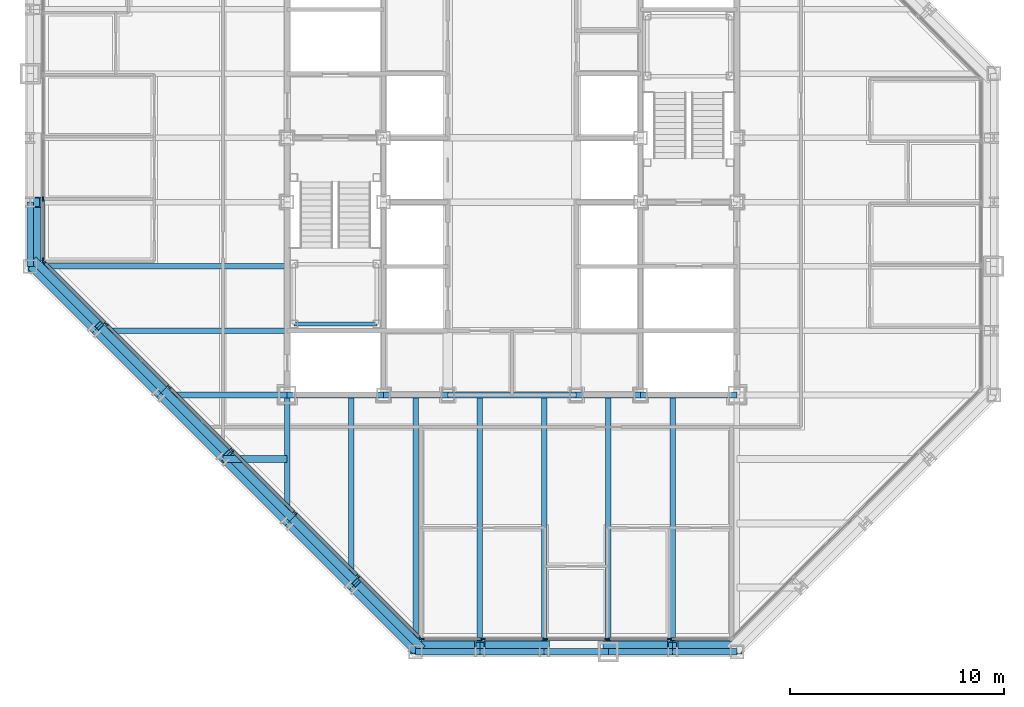
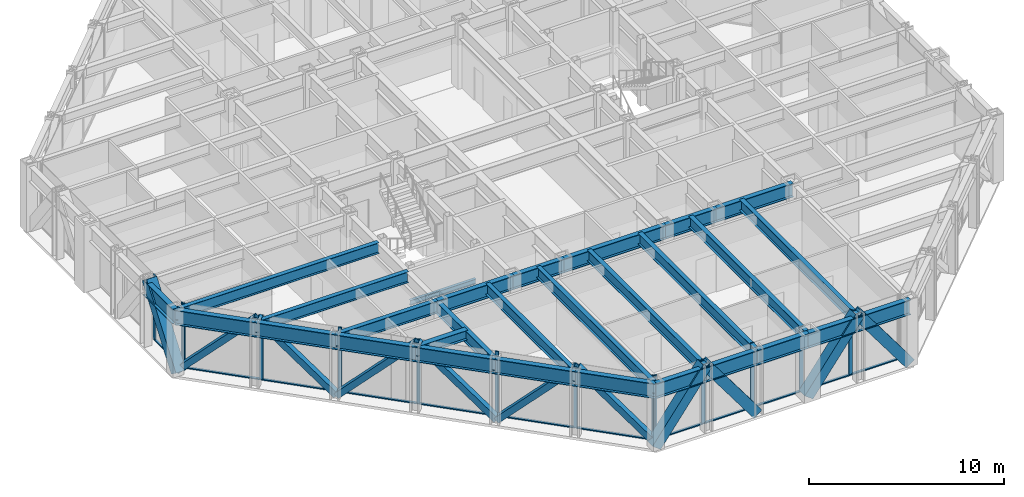
# One storey, part 5 of 16: 37 members, 29 beams, 3 elements without a shape of their own.
"""IFC4 building model written with IfcOpenShell, lengths in metres."""

from ifc_helpers import new_model, si_unit, direction, frame, origin, origin_2d, place, context, subcontext, project, spatial, rectangle, hollow_rectangle, i_section, extrude, material, layer, layer_set, material_profile, profile_set, type_object, element, aggregate, save


model = new_model("IFC4")

# Units and contexts
model_context = context("Model", 3, precision=1e-05, world=origin(), true_north=direction((0.0, 1.0)))
body_context = subcontext(model_context, "Body", "Model", "MODEL_VIEW")
ifc_project = project(units=[si_unit("LENGTHUNIT", "METRE"), si_unit("AREAUNIT", "SQUARE_METRE"), si_unit("VOLUMEUNIT", "CUBIC_METRE"), si_unit("PLANEANGLEUNIT", "RADIAN"), si_unit("MASSUNIT", "GRAM", prefix="KILO")], contexts=[model_context])

# Site, building, storey
site_placement = place(None, origin())
site = spatial("IfcSite", under=ifc_project, at=site_placement, CompositionType="ELEMENT")
building_placement = place(site_placement, origin())
building = spatial("IfcBuilding", under=site, at=building_placement, Name="Chuquiago Exchange Tower", CompositionType="ELEMENT")
storey_placement = place(building_placement, frame((0.0, 0.0, 201.300048828125)))
storey = spatial("IfcBuildingStorey", under=building, at=storey_placement, Name="L44", CompositionType="ELEMENT", Elevation=201.300048828125)

# Beams
ifc_material_1 = material(Name="Steel ASTM A992", Category="steel")
ifc_material_profile_1 = material_profile(ifc_material_1, i_section(OverallWidth=0.25390625, OverallDepth=0.683349609375, WebThickness=0.012451171875, FlangeThickness=0.018798828125, at=origin_2d()), Name="W27X94")
ifc_profile_set_1 = profile_set([ifc_material_profile_1], Name="Steel ASTM A992")
beam_type_1 = type_object("IfcBeamType", Name="B1 W27X94", PredefinedType="BEAM", material=ifc_profile_set_1)
beam_1_placement = place(storey_placement, frame((15.0, 12.0, 3.6982421875), z_axis=(0.0, -1.0, 0.0), x_axis=(1.0, 0.0, 0.0)))
element("IfcBeam", 1, at=beam_1_placement, inside=storey, type_object=beam_type_1, Name="FB-L45-infill-15_12-15_3-0", PredefinedType="BEAM", context=body_context, shape_type="SweptSolid", body=[
    extrude(i_section(OverallWidth=0.25390625, OverallDepth=0.683349609375, WebThickness=0.012451171875, FlangeThickness=0.018798828125, at=origin_2d()), origin(), (0.0, 0.0, 1.0), 9.0),
])
for number, where, z_axis, x_axis, name in (
    (2, (18.0, 12.0, 3.6982421875), (0.0, -1.0, 0.0), (1.0, 0.0, 0.0), "FB-L45-infill-18_12-18_-0-0"),
    (3, (21.0, 12.0, 3.6982421875), (0.0, -1.0, 0.0), (1.0, 0.0, 0.0), "FB-L45-infill-21_12-21_-0-0"),
    (4, (24.0, 12.0, 3.6982421875), (0.0, -1.0, 0.0), (1.0, 0.0, 0.0), "FB-L45-infill-24_12-24_-0-0"),
    (5, (27.0, 12.0, 3.6982421875), (0.0, -1.0, 0.0), (1.0, 0.0, 0.0), "FB-L45-infill-27_12-27_-0-0"),
    (6, (30.0, 12.0, 3.6982421875), (0.0, -1.0, 0.0), (1.0, 0.0, 0.0), "FB-L45-infill-30_12-30_-0-0"),
):
    element("IfcBeam", number, at=place(storey_placement, frame(where, z_axis=z_axis, x_axis=x_axis)), inside=storey, type_object=beam_type_1, Name=name, PredefinedType="BEAM", context=body_context, shape_type="SweptSolid", body=[
        extrude(i_section(OverallWidth=0.25390625, OverallDepth=0.683349609375, WebThickness=0.012451171875, FlangeThickness=0.018798828125, at=origin_2d()), origin(), (0.0, 0.0, 1.0), 12.0),
    ])
beam_2_placement = place(storey_placement, frame((12.0, 15.0, 3.6982421875), z_axis=(-1.0, 0.0, 0.0), x_axis=(0.0, -1.0, 0.0)))
element("IfcBeam", 7, at=beam_2_placement, inside=storey, type_object=beam_type_1, Name="FB-L45-infill-12_15-3_15-0", PredefinedType="BEAM", context=body_context, shape_type="SweptSolid", body=[
    extrude(i_section(OverallWidth=0.25390625, OverallDepth=0.683349609375, WebThickness=0.012451171875, FlangeThickness=0.018798828125, at=origin_2d()), origin(), (0.0, 0.0, 1.0), 9.0),
])
beam_3_placement = place(storey_placement, frame((12.0, 18.0, 3.6982421875), z_axis=(-1.0, 0.0, 0.0), x_axis=(0.0, -1.0, 0.0)))
element("IfcBeam", 8, at=beam_3_placement, inside=storey, type_object=beam_type_1, Name="FB-L45-infill-12_18--0_18-0", PredefinedType="BEAM", context=body_context, shape_type="SweptSolid", body=[
    extrude(i_section(OverallWidth=0.25390625, OverallDepth=0.683349609375, WebThickness=0.012451171875, FlangeThickness=0.018798828125, at=origin_2d()), origin(), (0.0, 0.0, 1.0), 12.0),
])
ifc_material_2 = material(Name="Steel ASTM A992", Category="steel")
ifc_material_profile_2 = material_profile(ifc_material_2, i_section(OverallWidth=0.3251953125, OverallDepth=0.612060546875, WebThickness=0.0126953125, FlangeThickness=0.01904296875, at=origin_2d()), Name="W24X104")
ifc_profile_set_2 = profile_set([ifc_material_profile_2], Name="Steel ASTM A992")
beam_type_2 = type_object("IfcBeamType", Name="B2 W24X104", PredefinedType="BEAM", material=ifc_profile_set_2)
beam_4_placement = place(storey_placement, frame((12.0, 9.0, 3.73388671875), z_axis=(-1.0, 0.0, 0.0), x_axis=(0.0, -1.0, 0.0)))
element("IfcBeam", 9, at=beam_4_placement, inside=storey, type_object=beam_type_2, Name="FB-L45-corner-12_9-9_9-0", PredefinedType="BEAM", context=body_context, shape_type="SweptSolid", body=[
    extrude(i_section(OverallWidth=0.3251953125, OverallDepth=0.612060546875, WebThickness=0.0126953125, FlangeThickness=0.01904296875, at=origin_2d()), origin(), (0.0, 0.0, 1.0), 3.0),
])
ifc_material_3 = material(Name="Steel ASTM A992", Category="steel")
ifc_material_profile_3 = material_profile(ifc_material_3, i_section(OverallWidth=0.2919921875, OverallDepth=0.8583984375, WebThickness=0.01708984375, FlangeThickness=0.031005859375, at=origin_2d()), Name="W33X169")
ifc_profile_set_3 = profile_set([ifc_material_profile_3], Name="Steel ASTM A992")
beam_type_3 = type_object("IfcBeamType", Name="B3 W33X169", PredefinedType="BEAM", material=ifc_profile_set_3)
beam_5_placement = place(storey_placement, frame((12.0, 12.0, 3.610595703125), z_axis=(1.0, 0.0, 0.0), x_axis=(0.0, 1.0, 0.0)))
element("IfcBeam", 10, at=beam_5_placement, inside=storey, type_object=beam_type_3, Name="CB-L45-12_12-16.5_12", PredefinedType="BEAM", context=body_context, shape_type="SweptSolid", body=[
    extrude(i_section(OverallWidth=0.2919921875, OverallDepth=0.8583984375, WebThickness=0.01708984375, FlangeThickness=0.031005859375, at=origin_2d()), origin(), (0.0, 0.0, 1.0), 4.5),
])
beam_6_placement = place(storey_placement, frame((16.5, 12.0, 3.610595703125), z_axis=(1.0, 0.0, 0.0), x_axis=(0.0, 1.0, 0.0)))
element("IfcBeam", 11, at=beam_6_placement, inside=storey, type_object=beam_type_3, Name="CB-L45-16.5_12-19.5_12", PredefinedType="BEAM", context=body_context, shape_type="SweptSolid", body=[
    extrude(i_section(OverallWidth=0.2919921875, OverallDepth=0.8583984375, WebThickness=0.01708984375, FlangeThickness=0.031005859375, at=origin_2d()), origin(), (0.0, 0.0, 1.0), 3.0),
])
beam_7_placement = place(storey_placement, frame((19.5, 12.0, 3.610595703125), z_axis=(1.0, 0.0, 0.0), x_axis=(0.0, 1.0, 0.0)))
element("IfcBeam", 12, at=beam_7_placement, inside=storey, type_object=beam_type_3, Name="CB-L45-19.5_12-25.5_12", PredefinedType="BEAM", context=body_context, shape_type="SweptSolid", body=[
    extrude(i_section(OverallWidth=0.2919921875, OverallDepth=0.8583984375, WebThickness=0.01708984375, FlangeThickness=0.031005859375, at=origin_2d()), origin(), (0.0, 0.0, 1.0), 6.0),
])
beam_8_placement = place(storey_placement, frame((25.5, 12.0, 3.610595703125), z_axis=(1.0, 0.0, 0.0), x_axis=(0.0, 1.0, 0.0)))
element("IfcBeam", 13, at=beam_8_placement, inside=storey, type_object=beam_type_3, Name="CB-L45-25.5_12-28.5_12", PredefinedType="BEAM", context=body_context, shape_type="SweptSolid", body=[
    extrude(i_section(OverallWidth=0.2919921875, OverallDepth=0.8583984375, WebThickness=0.01708984375, FlangeThickness=0.031005859375, at=origin_2d()), origin(), (0.0, 0.0, 1.0), 3.0),
])
beam_9_placement = place(storey_placement, frame((28.5, 12.0, 3.610595703125), z_axis=(1.0, 0.0, 0.0), x_axis=(0.0, 1.0, 0.0)))
element("IfcBeam", 14, at=beam_9_placement, inside=storey, type_object=beam_type_3, Name="CB-L45-28.5_12-33_12", PredefinedType="BEAM", context=body_context, shape_type="SweptSolid", body=[
    extrude(i_section(OverallWidth=0.2919921875, OverallDepth=0.8583984375, WebThickness=0.01708984375, FlangeThickness=0.031005859375, at=origin_2d()), origin(), (0.0, 0.0, 1.0), 4.5),
])

# Curtain wall, members
ifc_material_4 = material(Name="Aluminium curtain wall system", Category="aluminium")
ifc_layer_1 = layer(ifc_material_4, 0.22509765625)
ifc_layer_set_1 = layer_set([ifc_layer_1], Name="CW2 office curtain wall")
curtain_wall_type_1 = type_object("IfcCurtainWallType", Name="CW2 office curtain wall", PredefinedType="NOTDEFINED", material=ifc_layer_set_1)
curtain_wall_1_placement = place(storey_placement, origin())
curtain_wall_1 = element("IfcCurtainWall", 15, at=curtain_wall_1_placement, inside=storey, type_object=curtain_wall_type_1, Name="CW2 curtain wall L44", PredefinedType="NOTDEFINED")
ifc_material_5 = material(Name="Aluminium mullion, pale anodised", Category="aluminium")
ifc_material_profile_4 = material_profile(ifc_material_5, rectangle(XDim=0.06494140625, YDim=0.22509765625, at=origin_2d()), Name="AL 65x225")
ifc_profile_set_4 = profile_set([ifc_material_profile_4], Name="Aluminium mullion, pale anodised")
member_type_1 = type_object("IfcMemberType", Name="CW2-M mullion 65x225", PredefinedType="MULLION", material=ifc_profile_set_4)
member_1_placement = place(storey_placement, frame((18.281005859375, 0.60009765625, 0.0), z_axis=(0.0, 0.0, 1.0), x_axis=(0.0, 1.0, 0.0)))
member_1 = element("IfcMember", 16, at=member_1_placement, type_object=member_type_1, Name="CW2 mullion 1", PredefinedType="MULLION", context=body_context, shape_type="SweptSolid", body=[
    extrude(rectangle(XDim=0.06494140625, YDim=0.22509765625, at=origin_2d()), origin(), (0.0, 0.0, 1.0), 4.0400390625),
])
member_2_placement = place(storey_placement, frame((21.149169921875, 0.60009765625, 0.0), z_axis=(0.0, 0.0, 1.0), x_axis=(0.0, 1.0, 0.0)))
member_2 = element("IfcMember", 17, at=member_2_placement, type_object=member_type_1, Name="CW2 mullion 2", PredefinedType="MULLION", context=body_context, shape_type="SweptSolid", body=[
    extrude(rectangle(XDim=0.06494140625, YDim=0.22509765625, at=origin_2d()), origin(), (0.0, 0.0, 1.0), 4.0400390625),
])
member_3_placement = place(storey_placement, frame((24.0498046875, 0.60009765625, 0.0), z_axis=(0.0, 0.0, 1.0), x_axis=(0.0, 1.0, 0.0)))
member_3 = element("IfcMember", 18, at=member_3_placement, type_object=member_type_1, Name="CW2 mullion 3", PredefinedType="MULLION", context=body_context, shape_type="SweptSolid", body=[
    extrude(rectangle(XDim=0.06494140625, YDim=0.22509765625, at=origin_2d()), origin(), (0.0, 0.0, 1.0), 4.0400390625),
])
member_4_placement = place(storey_placement, frame((26.9501953125, 0.60009765625, 0.0), z_axis=(0.0, 0.0, 1.0), x_axis=(0.0, 1.0, 0.0)))
member_4 = element("IfcMember", 19, at=member_4_placement, type_object=member_type_1, Name="CW2 mullion 4", PredefinedType="MULLION", context=body_context, shape_type="SweptSolid", body=[
    extrude(rectangle(XDim=0.06494140625, YDim=0.22509765625, at=origin_2d()), origin(), (0.0, 0.0, 1.0), 4.0400390625),
])
member_5_placement = place(storey_placement, frame((29.850830078125, 0.60009765625, 0.0), z_axis=(0.0, 0.0, 1.0), x_axis=(0.0, 1.0, 0.0)))
member_5 = element("IfcMember", 20, at=member_5_placement, type_object=member_type_1, Name="CW2 mullion 5", PredefinedType="MULLION", context=body_context, shape_type="SweptSolid", body=[
    extrude(rectangle(XDim=0.06494140625, YDim=0.22509765625, at=origin_2d()), origin(), (0.0, 0.0, 1.0), 4.0400390625),
])

curtain_wall_2_placement = place(storey_placement, origin())
curtain_wall_2 = element("IfcCurtainWall", 21, at=curtain_wall_2_placement, inside=storey, type_object=curtain_wall_type_1, Name="CW2 curtain wall L44", PredefinedType="NOTDEFINED")
member_6_placement = place(storey_placement, frame((0.60009765625, 21.149169921875, 0.0), z_axis=(0.0, 0.0, 1.0), x_axis=(1.0, 0.0, 0.0)))
member_6 = element("IfcMember", 22, at=member_6_placement, type_object=member_type_1, Name="CW2 mullion 5", PredefinedType="MULLION", context=body_context, shape_type="SweptSolid", body=[
    extrude(rectangle(XDim=0.06494140625, YDim=0.22509765625, at=origin_2d()), origin(), (0.0, 0.0, 1.0), 4.0400390625),
])
member_7_placement = place(storey_placement, frame((0.60009765625, 18.281005859375, 0.0), z_axis=(0.0, 0.0, 1.0), x_axis=(1.0, 0.0, 0.0)))
member_7 = element("IfcMember", 23, at=member_7_placement, type_object=member_type_1, Name="CW2 mullion 6", PredefinedType="MULLION", context=body_context, shape_type="SweptSolid", body=[
    extrude(rectangle(XDim=0.06494140625, YDim=0.22509765625, at=origin_2d()), origin(), (0.0, 0.0, 1.0), 4.0400390625),
])

# Member
ifc_material_6 = material(Name="Aluminium transom, pale anodised", Category="aluminium")
ifc_material_profile_5 = material_profile(ifc_material_6, rectangle(XDim=0.139892578125, YDim=0.06494140625, at=origin_2d()), Name="AL 140x65")
ifc_profile_set_5 = profile_set([ifc_material_profile_5], Name="Aluminium transom, pale anodised")
member_type_2 = type_object("IfcMemberType", Name="CW2-T transom 65x140", PredefinedType="MULLION", material=ifc_profile_set_5)
member_8_placement = place(storey_placement, frame((18.3134765625, 0.60009765625, 0.032470703125), z_axis=(1.0, 0.0, 0.0), x_axis=(0.0, 1.0, 0.0)))
member_8 = element("IfcMember", 24, at=member_8_placement, type_object=member_type_2, Name="CW2 transom 1.1", PredefinedType="MULLION", context=body_context, shape_type="SweptSolid", body=[
    extrude(rectangle(XDim=0.139892578125, YDim=0.06494140625, at=origin_2d()), origin(), (0.0, 0.0, 1.0), 2.80322265625),
])

member_9_placement = place(storey_placement, frame((21.181640625, 0.60009765625, 0.032470703125), z_axis=(1.0, 0.0, 0.0), x_axis=(0.0, 1.0, 0.0)))
member_9 = element("IfcMember", 25, at=member_9_placement, type_object=member_type_2, Name="CW2 transom 2.1", PredefinedType="MULLION", context=body_context, shape_type="SweptSolid", body=[
    extrude(rectangle(XDim=0.139892578125, YDim=0.06494140625, at=origin_2d()), origin(), (0.0, 0.0, 1.0), 2.83544921875),
])

member_10_placement = place(storey_placement, frame((24.082275390625, 0.60009765625, 0.032470703125), z_axis=(1.0, 0.0, 0.0), x_axis=(0.0, 1.0, 0.0)))
member_10 = element("IfcMember", 26, at=member_10_placement, type_object=member_type_2, Name="CW2 transom 3.1", PredefinedType="MULLION", context=body_context, shape_type="SweptSolid", body=[
    extrude(rectangle(XDim=0.139892578125, YDim=0.06494140625, at=origin_2d()), origin(), (0.0, 0.0, 1.0), 2.83544921875),
])

member_11_placement = place(storey_placement, frame((26.98291015625, 0.60009765625, 0.032470703125), z_axis=(1.0, 0.0, 0.0), x_axis=(0.0, 1.0, 0.0)))
member_11 = element("IfcMember", 27, at=member_11_placement, type_object=member_type_2, Name="CW2 transom 4.1", PredefinedType="MULLION", context=body_context, shape_type="SweptSolid", body=[
    extrude(rectangle(XDim=0.139892578125, YDim=0.06494140625, at=origin_2d()), origin(), (0.0, 0.0, 1.0), 2.83544921875),
])

member_12_placement = place(storey_placement, frame((29.88330078125, 0.60009765625, 0.032470703125), z_axis=(1.0, 0.0, 0.0), x_axis=(0.0, 1.0, 0.0)))
member_12 = element("IfcMember", 28, at=member_12_placement, type_object=member_type_2, Name="CW2 transom 5.1", PredefinedType="MULLION", context=body_context, shape_type="SweptSolid", body=[
    extrude(rectangle(XDim=0.139892578125, YDim=0.06494140625, at=origin_2d()), origin(), (0.0, 0.0, 1.0), 2.80322265625),
])

aggregate(curtain_wall_1, [member_1, member_2, member_3, member_4, member_5, member_8, member_9, member_10, member_11, member_12])

member_13_placement = place(storey_placement, frame((0.60009765625, 21.11669921875, 0.032470703125), z_axis=(0.0, -1.0, 0.0), x_axis=(1.0, 0.0, 0.0)))
member_13 = element("IfcMember", 29, at=member_13_placement, type_object=member_type_2, Name="CW2 transom 5.1", PredefinedType="MULLION", context=body_context, shape_type="SweptSolid", body=[
    extrude(rectangle(XDim=0.139892578125, YDim=0.06494140625, at=origin_2d()), origin(), (0.0, 0.0, 1.0), 2.80322265625),
])

aggregate(curtain_wall_2, [member_6, member_7, member_13])

# Curtain wall, members
ifc_material_7 = material(Name="Aluminium curtain wall system", Category="aluminium")
ifc_layer_2 = layer(ifc_material_7, 0.199951171875)
ifc_layer_set_2 = layer_set([ifc_layer_2], Name="CW3 facet curtain wall")
curtain_wall_type_2 = type_object("IfcCurtainWallType", Name="CW3 facet curtain wall", PredefinedType="NOTDEFINED", material=ifc_layer_set_2)
curtain_wall_3_placement = place(storey_placement, origin())
curtain_wall_3 = element("IfcCurtainWall", 30, at=curtain_wall_3_placement, inside=storey, type_object=curtain_wall_type_2, Name="CW3 curtain wall L44", PredefinedType="NOTDEFINED")
ifc_material_8 = material(Name="Aluminium mullion, pale anodised", Category="aluminium")
ifc_material_profile_6 = material_profile(ifc_material_8, rectangle(XDim=0.06494140625, YDim=0.199951171875, at=origin_2d()), Name="AL 65x200")
ifc_profile_set_6 = profile_set([ifc_material_profile_6], Name="Aluminium mullion, pale anodised")
member_type_3 = type_object("IfcMemberType", Name="CW3-M mullion 65x200", PredefinedType="MULLION", material=ifc_profile_set_6)
member_14_placement = place(storey_placement, frame((0.623046875, 18.2255859375, 0.0), z_axis=(0.0, 0.0, 1.0), x_axis=(0.707106781187, 0.707106781187, 0.0)))
member_14 = element("IfcMember", 31, at=member_14_placement, type_object=member_type_3, Name="CW3 mullion 1", PredefinedType="MULLION", context=body_context, shape_type="SweptSolid", body=[
    extrude(rectangle(XDim=0.06494140625, YDim=0.199951171875, at=origin_2d()), origin(), (0.0, 0.0, 1.0), 4.0400390625),
])
member_15_placement = place(storey_placement, frame((3.54150390625, 15.30712890625, 0.0), z_axis=(0.0, 0.0, 1.0), x_axis=(0.707106781187, 0.707106781187, 0.0)))
member_15 = element("IfcMember", 32, at=member_15_placement, type_object=member_type_3, Name="CW3 mullion 2", PredefinedType="MULLION", context=body_context, shape_type="SweptSolid", body=[
    extrude(rectangle(XDim=0.06494140625, YDim=0.199951171875, at=origin_2d()), origin(), (0.0, 0.0, 1.0), 4.0400390625),
])
member_16_placement = place(storey_placement, frame((6.48291015625, 12.36572265625, 0.0), z_axis=(0.0, 0.0, 1.0), x_axis=(0.707106781187, 0.707106781187, 0.0)))
member_16 = element("IfcMember", 33, at=member_16_placement, type_object=member_type_3, Name="CW3 mullion 3", PredefinedType="MULLION", context=body_context, shape_type="SweptSolid", body=[
    extrude(rectangle(XDim=0.06494140625, YDim=0.199951171875, at=origin_2d()), origin(), (0.0, 0.0, 1.0), 4.0400390625),
])
member_17_placement = place(storey_placement, frame((9.42431640625, 9.42431640625, 0.0), z_axis=(0.0, 0.0, 1.0), x_axis=(0.707106781187, 0.707106781187, 0.0)))
member_17 = element("IfcMember", 34, at=member_17_placement, type_object=member_type_3, Name="CW3 mullion 4", PredefinedType="MULLION", context=body_context, shape_type="SweptSolid", body=[
    extrude(rectangle(XDim=0.06494140625, YDim=0.199951171875, at=origin_2d()), origin(), (0.0, 0.0, 1.0), 4.0400390625),
])
member_18_placement = place(storey_placement, frame((12.36572265625, 6.48291015625, 0.0), z_axis=(0.0, 0.0, 1.0), x_axis=(0.707106781187, 0.707106781187, 0.0)))
member_18 = element("IfcMember", 35, at=member_18_placement, type_object=member_type_3, Name="CW3 mullion 5", PredefinedType="MULLION", context=body_context, shape_type="SweptSolid", body=[
    extrude(rectangle(XDim=0.06494140625, YDim=0.199951171875, at=origin_2d()), origin(), (0.0, 0.0, 1.0), 4.0400390625),
])
member_19_placement = place(storey_placement, frame((15.30712890625, 3.54150390625, 0.0), z_axis=(0.0, 0.0, 1.0), x_axis=(0.707106781187, 0.707106781187, 0.0)))
member_19 = element("IfcMember", 36, at=member_19_placement, type_object=member_type_3, Name="CW3 mullion 6", PredefinedType="MULLION", context=body_context, shape_type="SweptSolid", body=[
    extrude(rectangle(XDim=0.06494140625, YDim=0.199951171875, at=origin_2d()), origin(), (0.0, 0.0, 1.0), 4.0400390625),
])
member_20_placement = place(storey_placement, frame((18.2255859375, 0.623046875, 0.0), z_axis=(0.0, 0.0, 1.0), x_axis=(0.707106781187, 0.707106781187, 0.0)))
member_20 = element("IfcMember", 37, at=member_20_placement, type_object=member_type_3, Name="CW3 mullion 7", PredefinedType="MULLION", context=body_context, shape_type="SweptSolid", body=[
    extrude(rectangle(XDim=0.06494140625, YDim=0.199951171875, at=origin_2d()), origin(), (0.0, 0.0, 1.0), 4.0400390625),
])
ifc_material_9 = material(Name="Aluminium transom, pale anodised", Category="aluminium")
ifc_material_profile_7 = material_profile(ifc_material_9, rectangle(XDim=0.139892578125, YDim=0.06494140625, at=origin_2d()), Name="AL 140x65")
ifc_profile_set_7 = profile_set([ifc_material_profile_7], Name="Aluminium transom, pale anodised")
member_type_4 = type_object("IfcMemberType", Name="CW3-T transom 65x140", PredefinedType="MULLION", material=ifc_profile_set_7)
member_21_placement = place(storey_placement, frame((0.64599609375, 18.20263671875, 0.032470703125), z_axis=(0.707106781187, -0.707106781187, 0.0), x_axis=(0.707106781187, 0.707106781187, 0.0)))
member_21 = element("IfcMember", 38, at=member_21_placement, type_object=member_type_4, Name="CW3 transom 1.1", PredefinedType="MULLION", context=body_context, shape_type="SweptSolid", body=[
    extrude(rectangle(XDim=0.139892578125, YDim=0.06494140625, at=origin_2d()), origin(), (0.0, 0.0, 1.0), 4.0625),
])
member_22_placement = place(storey_placement, frame((3.564453125, 15.2841796875, 0.032470703125), z_axis=(0.707106781187, -0.707106781187, 0.0), x_axis=(0.707106781187, 0.707106781187, 0.0)))
member_22 = element("IfcMember", 39, at=member_22_placement, type_object=member_type_4, Name="CW3 transom 2.1", PredefinedType="MULLION", context=body_context, shape_type="SweptSolid", body=[
    extrude(rectangle(XDim=0.139892578125, YDim=0.06494140625, at=origin_2d()), origin(), (0.0, 0.0, 1.0), 4.094970703125),
])
member_23_placement = place(storey_placement, frame((6.505859375, 12.3427734375, 0.032470703125), z_axis=(0.707106781187, -0.707106781187, 0.0), x_axis=(0.707106781187, 0.707106781187, 0.0)))
member_23 = element("IfcMember", 40, at=member_23_placement, type_object=member_type_4, Name="CW3 transom 3.1", PredefinedType="MULLION", context=body_context, shape_type="SweptSolid", body=[
    extrude(rectangle(XDim=0.139892578125, YDim=0.06494140625, at=origin_2d()), origin(), (0.0, 0.0, 1.0), 4.094970703125),
])
member_24_placement = place(storey_placement, frame((9.447265625, 9.4013671875, 0.032470703125), z_axis=(0.707106781187, -0.707106781187, 0.0), x_axis=(0.707106781187, 0.707106781187, 0.0)))
member_24 = element("IfcMember", 41, at=member_24_placement, type_object=member_type_4, Name="CW3 transom 4.1", PredefinedType="MULLION", context=body_context, shape_type="SweptSolid", body=[
    extrude(rectangle(XDim=0.139892578125, YDim=0.06494140625, at=origin_2d()), origin(), (0.0, 0.0, 1.0), 4.094970703125),
])
member_25_placement = place(storey_placement, frame((12.388671875, 6.4599609375, 0.032470703125), z_axis=(0.707106781187, -0.707106781187, 0.0), x_axis=(0.707106781187, 0.707106781187, 0.0)))
member_25 = element("IfcMember", 42, at=member_25_placement, type_object=member_type_4, Name="CW3 transom 5.1", PredefinedType="MULLION", context=body_context, shape_type="SweptSolid", body=[
    extrude(rectangle(XDim=0.139892578125, YDim=0.06494140625, at=origin_2d()), origin(), (0.0, 0.0, 1.0), 4.094970703125),
])
member_26_placement = place(storey_placement, frame((15.330078125, 3.5185546875, 0.032470703125), z_axis=(0.707106781187, -0.707106781187, 0.0), x_axis=(0.707106781187, 0.707106781187, 0.0)))
member_26 = element("IfcMember", 43, at=member_26_placement, type_object=member_type_4, Name="CW3 transom 6.1", PredefinedType="MULLION", context=body_context, shape_type="SweptSolid", body=[
    extrude(rectangle(XDim=0.139892578125, YDim=0.06494140625, at=origin_2d()), origin(), (0.0, 0.0, 1.0), 4.0625),
])
aggregate(curtain_wall_3, [member_14, member_15, member_16, member_17, member_18, member_19, member_20, member_21, member_22, member_23, member_24, member_25, member_26])

# Beams
ifc_material_10 = material(Name="Steel ASTM A992", Category="steel")
ifc_material_profile_8 = material_profile(ifc_material_10, i_section(OverallWidth=0.2666015625, OverallDepth=0.76953125, WebThickness=0.015625, FlangeThickness=0.025390625, at=origin_2d()), Name="W30X132")
ifc_profile_set_8 = profile_set([ifc_material_profile_8], Name="Steel ASTM A992")
beam_type_4 = type_object("IfcBeamType", Name="G1 W30X132", PredefinedType="BEAM", material=ifc_profile_set_8)
for number, where, z_axis, x_axis, name in (
    (44, (12.0, 12.0, 3.655029296875), (0.0, -1.0, 0.0), (1.0, 0.0, 0.0), "FB-L45-girder-12_12-12_6-0"),
    (45, (12.0, 12.0, 3.655029296875), (-1.0, 0.0, 0.0), (0.0, -1.0, 0.0), "FB-L45-girder-12_12-6_12-0"),
):
    element("IfcBeam", number, at=place(storey_placement, frame(where, z_axis=z_axis, x_axis=x_axis)), inside=storey, type_object=beam_type_4, Name=name, PredefinedType="BEAM", context=body_context, shape_type="SweptSolid", body=[
        extrude(i_section(OverallWidth=0.2666015625, OverallDepth=0.76953125, WebThickness=0.015625, FlangeThickness=0.025390625, at=origin_2d()), origin(), (0.0, 0.0, 1.0), 6.0),
    ])

# Members
ifc_material_11 = material(Name="Steel ASTM A500 Grade C", Category="steel")
ifc_material_profile_9 = material_profile(ifc_material_11, hollow_rectangle(XDim=0.355712890625, YDim=0.355712890625, WallThickness=0.0146484375, at=origin_2d()), Name="HSS14X14X5/8")
ifc_profile_set_9 = profile_set([ifc_material_profile_9], Name="Steel ASTM A500 Grade C")
member_type_5 = type_object("IfcMemberType", Name="LB2 HSS14X14X5/8", PredefinedType="BRACE", material=ifc_profile_set_9)
for number, where, z_axis, x_axis, name in (
    (46, (0.2314453125, 18.2314453125, 0.0), (0.512077265487, -0.512077265487, 0.689604051861), (0.707106781187, 0.707106781187, 0.0), "LB-L44-0_18-3_15"),
    (47, (6.2314453125, 12.2314453125, 0.0), (-0.512077265487, 0.512077265487, 0.689604051861), (-0.707106781187, -0.707106781187, 0.0), "LB-L44-3_15-6_12"),
    (48, (6.2314453125, 12.2314453125, 0.0), (0.512077265487, -0.512077265487, 0.689604051861), (0.707106781187, 0.707106781187, 0.0), "LB-L44-6_12-9_9"),
    (49, (12.2314453125, 6.2314453125, 0.0), (-0.512077265487, 0.512077265487, 0.689604051861), (-0.707106781187, -0.707106781187, 0.0), "LB-L44-9_9-12_6"),
    (50, (12.2314453125, 6.2314453125, 0.0), (0.512077265487, -0.512077265487, 0.689604051861), (0.707106781187, 0.707106781187, 0.0), "LB-L44-12_6-15_3"),
    (51, (18.2314453125, 0.2314453125, 0.0), (-0.512077265487, 0.512077265487, 0.689604051861), (-0.707106781187, -0.707106781187, 0.0), "LB-L44-15_3-18_0"),
):
    element("IfcMember", number, at=place(storey_placement, frame(where, z_axis=z_axis, x_axis=x_axis)), inside=storey, type_object=member_type_5, Name=name, PredefinedType="BRACE", context=body_context, shape_type="SweptSolid", body=[
        extrude(hollow_rectangle(XDim=0.355712890625, YDim=0.355712890625, WallThickness=0.0146484375, at=origin_2d()), origin(), (0.0, 0.0, 1.0), 5.8583984375),
    ])

# Beam
ifc_material_12 = material(Name="Steel ASTM A992", Category="steel")
ifc_material_profile_10 = material_profile(ifc_material_12, i_section(OverallWidth=0.164794921875, OverallDepth=0.309814453125, WebThickness=0.005859375, FlangeThickness=0.009765625, at=origin_2d()), Name="W12X26")
ifc_profile_set_10 = profile_set([ifc_material_profile_10], Name="Steel ASTM A992")
beam_type_5 = type_object("IfcBeamType", Name="LT1 W12X26", PredefinedType="BEAM", material=ifc_profile_set_10)
beam_10_placement = place(storey_placement, frame((12.31005859375, 15.31005859375, 1.7451171875), z_axis=(1.0, 0.0, 0.0), x_axis=(0.0, 1.0, 0.0)))
element("IfcBeam", 52, at=beam_10_placement, inside=storey, type_object=beam_type_5, Name="Stair ST1 L44 landing 1 trimmer", PredefinedType="BEAM", context=body_context, shape_type="SweptSolid", body=[
    extrude(i_section(OverallWidth=0.164794921875, OverallDepth=0.309814453125, WebThickness=0.005859375, FlangeThickness=0.009765625, at=origin_2d()), origin(), (0.0, 0.0, 1.0), 3.8798828125),
])

# Members
ifc_material_13 = material(Name="Steel ASTM A572 Grade 50", Category="steel")
ifc_material_profile_11 = material_profile(ifc_material_13, hollow_rectangle(XDim=0.60009765625, YDim=0.60009765625, WallThickness=0.06005859375, at=origin_2d()), Name="BOX600X600X60")
ifc_profile_set_11 = profile_set([ifc_material_profile_11], Name="Steel ASTM A572 Grade 50")
member_type_6 = type_object("IfcMemberType", Name="MB3 BOX600X600X60", PredefinedType="BRACE", material=ifc_profile_set_11)
for number, where, z_axis, x_axis, name in (
    (53, (18.0, 0.205078125, 0.0), (0.596173923302, 0.0, 0.802855312728), (0.0, 1.0, 0.0), "Mega diagonal L44 S face"),
    (54, (24.0, 0.205078125, 0.0), (-0.596173923302, 0.0, 0.802855312728), (0.0, -1.0, 0.0), "Mega diagonal L44 S face"),
    (55, (27.0, 0.205078125, 0.0), (0.596173923302, 0.0, 0.802855312728), (0.0, 1.0, 0.0), "Mega diagonal L44 S face"),
    (56, (33.0, 0.205078125, 0.0), (-0.596173923302, 0.0, 0.802855312728), (0.0, -1.0, 0.0), "Mega diagonal L44 S face"),
    (57, (0.205078125, 18.0, 0.0), (0.0, 0.596173923302, 0.802855312728), (-1.0, 0.0, 0.0), "Mega diagonal L44 W face"),
):
    element("IfcMember", number, at=place(storey_placement, frame(where, z_axis=z_axis, x_axis=x_axis)), inside=storey, type_object=member_type_6, Name=name, PredefinedType="BRACE", context=body_context, shape_type="SweptSolid", body=[
        extrude(hollow_rectangle(XDim=0.60009765625, YDim=0.60009765625, WallThickness=0.06005859375, at=origin_2d()), origin(), (0.0, 0.0, 1.0), 5.031982421875),
    ])

# Beams
ifc_material_14 = material(Name="Steel ASTM A992", Category="steel")
ifc_material_profile_12 = material_profile(ifc_material_14, i_section(OverallWidth=0.307373046875, OverallDepth=0.927001953125, WebThickness=0.01953125, FlangeThickness=0.031982421875, at=origin_2d()), Name="W36X194")
ifc_profile_set_12 = profile_set([ifc_material_profile_12], Name="Steel ASTM A992")
beam_type_6 = type_object("IfcBeamType", Name="SP3 W36X194", PredefinedType="SPANDREL", material=ifc_profile_set_12)
for number, where, z_axis, x_axis, name in (
    (58, (18.0, 0.0, 3.576416015625), (1.0, 0.0, 0.0), (0.0, 1.0, 0.0), "SPB-L45-18_0-21_0"),
    (59, (21.0, 0.0, 3.576416015625), (1.0, 0.0, 0.0), (0.0, 1.0, 0.0), "SPB-L45-21_0-24_0"),
    (60, (24.0, 0.0, 3.576416015625), (1.0, 0.0, 0.0), (0.0, 1.0, 0.0), "SPB-L45-24_0-27_0"),
    (61, (27.0, 0.0, 3.576416015625), (1.0, 0.0, 0.0), (0.0, 1.0, 0.0), "SPB-L45-27_0-30_0"),
    (62, (30.0, 0.0, 3.576416015625), (1.0, 0.0, 0.0), (0.0, 1.0, 0.0), "SPB-L45-30_0-33_0"),
    (63, (0.0, 21.0, 3.576416015625), (0.0, -1.0, 0.0), (1.0, 0.0, 0.0), "SPB-L45-0_21-0_18"),
):
    element("IfcBeam", number, at=place(storey_placement, frame(where, z_axis=z_axis, x_axis=x_axis)), inside=storey, type_object=beam_type_6, Name=name, PredefinedType="SPANDREL", context=body_context, shape_type="SweptSolid", body=[
        extrude(i_section(OverallWidth=0.307373046875, OverallDepth=0.927001953125, WebThickness=0.01953125, FlangeThickness=0.031982421875, at=origin_2d()), origin(), (0.0, 0.0, 1.0), 3.0),
    ])
for number, where, z_axis, x_axis, name in (
    (64, (0.0, 18.0, 3.576416015625), (0.707106781187, -0.707106781187, 0.0), (0.707106781187, 0.707106781187, 0.0), "SPB-L45-0_18-3_15"),
    (65, (3.0, 15.0, 3.576416015625), (0.707106781187, -0.707106781187, 0.0), (0.707106781187, 0.707106781187, 0.0), "SPB-L45-3_15-6_12"),
    (66, (6.0, 12.0, 3.576416015625), (0.707106781187, -0.707106781187, 0.0), (0.707106781187, 0.707106781187, 0.0), "SPB-L45-6_12-9_9"),
    (67, (9.0, 9.0, 3.576416015625), (0.707106781187, -0.707106781187, 0.0), (0.707106781187, 0.707106781187, 0.0), "SPB-L45-9_9-12_6"),
    (68, (12.0, 6.0, 3.576416015625), (0.707106781187, -0.707106781187, 0.0), (0.707106781187, 0.707106781187, 0.0), "SPB-L45-12_6-15_3"),
    (69, (15.0, 3.0, 3.576416015625), (0.707106781187, -0.707106781187, 0.0), (0.707106781187, 0.707106781187, 0.0), "SPB-L45-15_3-18_0"),
):
    element("IfcBeam", number, at=place(storey_placement, frame(where, z_axis=z_axis, x_axis=x_axis)), inside=storey, type_object=beam_type_6, Name=name, PredefinedType="SPANDREL", context=body_context, shape_type="SweptSolid", body=[
        extrude(i_section(OverallWidth=0.307373046875, OverallDepth=0.927001953125, WebThickness=0.01953125, FlangeThickness=0.031982421875, at=origin_2d()), origin(), (0.0, 0.0, 1.0), 4.24267578125),
    ])

save(model, "model.ifc")
